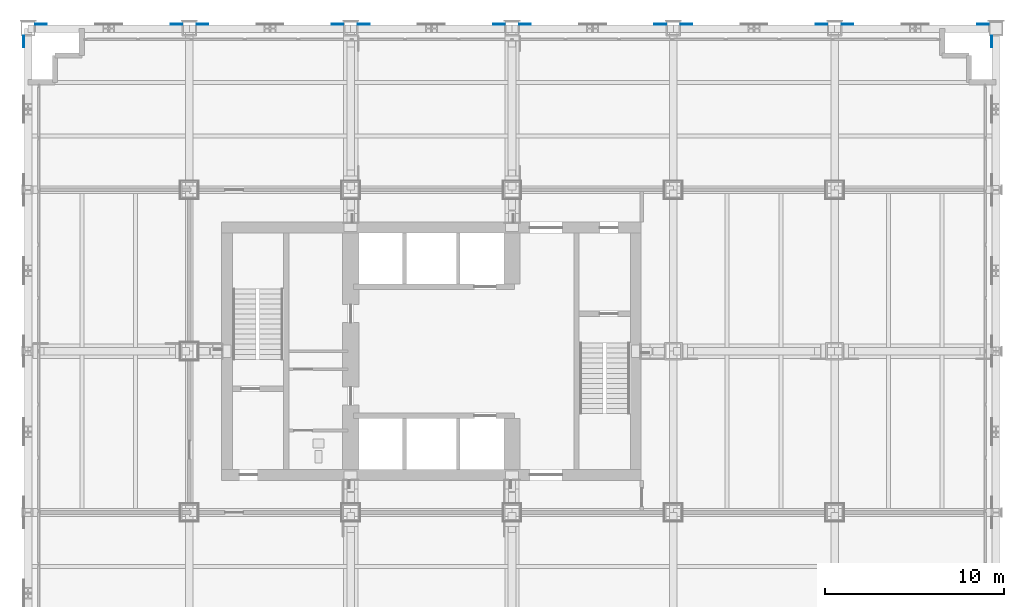
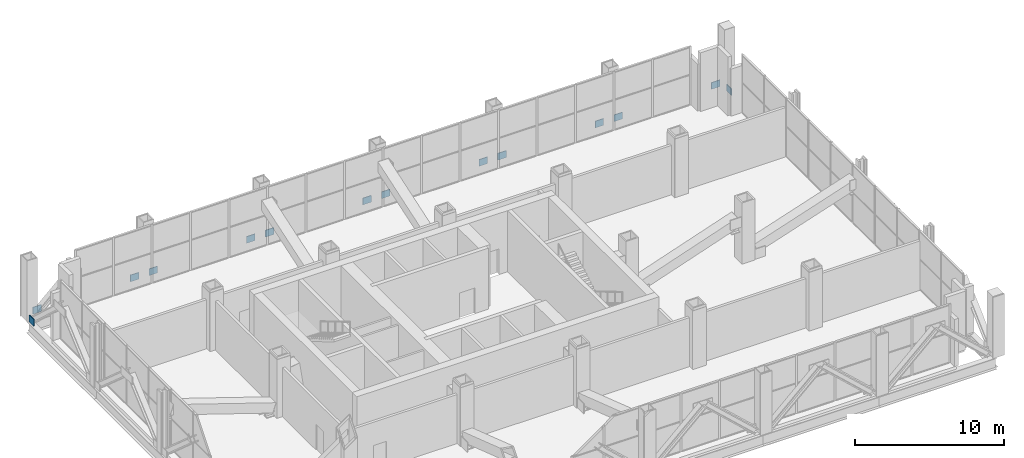
# One storey, part 15 of 19: 14 plates.
"""IFC4 building model written with IfcOpenShell, lengths in metres."""

from ifc_helpers import new_model, si_unit, direction, frame, origin, origin_2d, place, context, subcontext, project, spatial, rectangle, extrude, material, layer, layer_set, type_object, element, save


model = new_model("IFC4")

# Units and contexts
model_context = context("Model", 3, precision=1e-05, world=origin(), true_north=direction((0.0, 1.0)))
body_context = subcontext(model_context, "Body", "Model", "MODEL_VIEW")
ifc_project = project(units=[si_unit("LENGTHUNIT", "METRE"), si_unit("AREAUNIT", "SQUARE_METRE"), si_unit("VOLUMEUNIT", "CUBIC_METRE"), si_unit("PLANEANGLEUNIT", "RADIAN"), si_unit("MASSUNIT", "GRAM", prefix="KILO")], contexts=[model_context])

# Site, building, storey
site_placement = place(None, origin())
site = spatial("IfcSite", under=ifc_project, at=site_placement, CompositionType="ELEMENT")
building_placement = place(site_placement, origin())
building = spatial("IfcBuilding", under=site, at=building_placement, Name="Loomwork Tower", CompositionType="ELEMENT")
storey_placement = place(building_placement, frame((0.0, 0.0, 89.199951171875)))
storey = spatial("IfcBuildingStorey", under=building, at=storey_placement, Name="L23", CompositionType="ELEMENT", Elevation=89.199951171875)

# Plates
ifc_material = material(Name="Steel ASTM A572 Grade 50 plate", Category="steel")
ifc_layer = layer(ifc_material, 0.050048828125)
ifc_layer_set = layer_set([ifc_layer], Name="BELT TRUSS PIER GUSSET PLATE 50")
plate_type = type_object("IfcPlateType", Name="BELT TRUSS PIER GUSSET PLATE 50", PredefinedType="SHEET", material=ifc_layer_set)
for number, where, z_axis, x_axis, name in (
    (1, (-0.238037109375, 35.27294921875, 0.001953125), (0.0, 0.0, 1.0), (0.0, 1.0, 0.0), "Belt truss pier gusset plate G/2-H/2 2 L23"),
    (2, (53.761962890625, 35.27294921875, 0.001953125), (0.0, 0.0, 1.0), (0.0, 1.0, 0.0), "Belt truss pier gusset plate G/8-H/8 2 L23"),
    (3, (0.72705078125, 36.238037109375, 0.001953125), (0.0, 0.0, 1.0), (1.0, 0.0, 0.0), "Belt truss pier gusset plate H/2-H/3 1 L23"),
    (4, (8.27294921875, 36.238037109375, 0.001953125), (0.0, 0.0, 1.0), (1.0, 0.0, 0.0), "Belt truss pier gusset plate H/2-H/3 2 L23"),
    (5, (9.72705078125, 36.238037109375, 0.001953125), (0.0, 0.0, 1.0), (1.0, 0.0, 0.0), "Belt truss pier gusset plate H/3-H/4 1 L23"),
    (6, (17.27294921875, 36.238037109375, 0.001953125), (0.0, 0.0, 1.0), (1.0, 0.0, 0.0), "Belt truss pier gusset plate H/3-H/4 2 L23"),
    (7, (18.72705078125, 36.238037109375, 0.001953125), (0.0, 0.0, 1.0), (1.0, 0.0, 0.0), "Belt truss pier gusset plate H/4-H/5 1 L23"),
    (8, (26.27294921875, 36.238037109375, 0.001953125), (0.0, 0.0, 1.0), (1.0, 0.0, 0.0), "Belt truss pier gusset plate H/4-H/5 2 L23"),
    (9, (27.72705078125, 36.238037109375, 0.001953125), (0.0, 0.0, 1.0), (1.0, 0.0, 0.0), "Belt truss pier gusset plate H/5-H/6 1 L23"),
    (10, (35.27294921875, 36.238037109375, 0.001953125), (0.0, 0.0, 1.0), (1.0, 0.0, 0.0), "Belt truss pier gusset plate H/5-H/6 2 L23"),
    (11, (36.72705078125, 36.238037109375, 0.001953125), (0.0, 0.0, 1.0), (1.0, 0.0, 0.0), "Belt truss pier gusset plate H/6-H/7 1 L23"),
    (12, (44.27294921875, 36.238037109375, 0.001953125), (0.0, 0.0, 1.0), (1.0, 0.0, 0.0), "Belt truss pier gusset plate H/6-H/7 2 L23"),
    (13, (45.72705078125, 36.238037109375, 0.001953125), (0.0, 0.0, 1.0), (1.0, 0.0, 0.0), "Belt truss pier gusset plate H/7-H/8 1 L23"),
    (14, (53.27294921875, 36.238037109375, 0.001953125), (0.0, 0.0, 1.0), (1.0, 0.0, 0.0), "Belt truss pier gusset plate H/7-H/8 2 L23"),
):
    element("IfcPlate", number, at=place(storey_placement, frame(where, z_axis=z_axis, x_axis=x_axis)), inside=storey, type_object=plate_type, Name=name, PredefinedType="SHEET", context=body_context, shape_type="SweptSolid", body=[
        extrude(rectangle(XDim=0.64990234375, YDim=0.050048828125, at=origin_2d()), origin(), (0.0, 0.0, 1.0), 0.550048828125),
    ])

save(model, "model.ifc")
